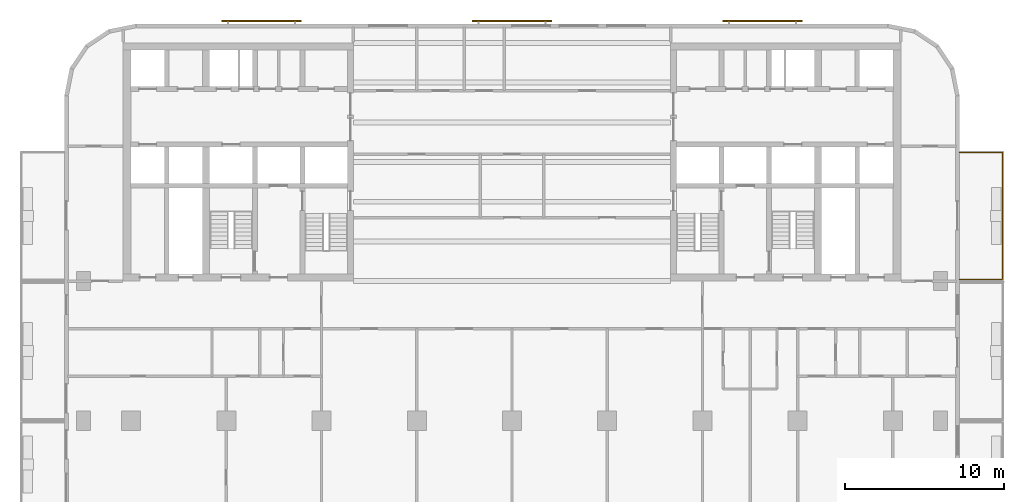
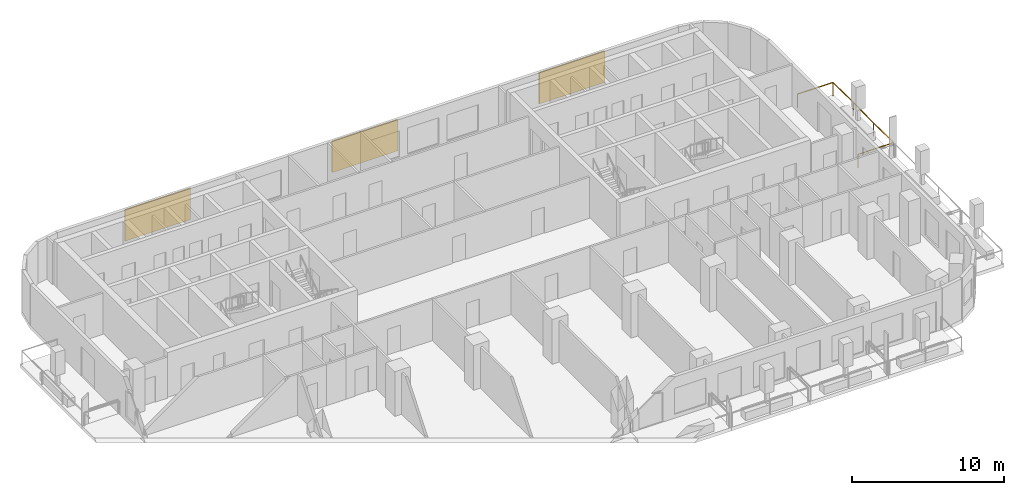
# One storey, part 10 of 11: 3 shading devices, 1 railing.
"""IFC4 building model written with IfcOpenShell, lengths in metres."""

from ifc_helpers import new_model, si_unit, direction, frame, origin, origin_2d, place, context, subcontext, project, spatial, rectangle, circle, extrude, material, layer, layer_set, type_object, element, save


model = new_model("IFC4")

# Units and contexts
model_context = context("Model", 3, precision=1e-05, world=origin(), true_north=direction((0.0, 1.0)))
body_context = subcontext(model_context, "Body", "Model", "MODEL_VIEW")
ifc_project = project(units=[si_unit("LENGTHUNIT", "METRE"), si_unit("AREAUNIT", "SQUARE_METRE"), si_unit("VOLUMEUNIT", "CUBIC_METRE"), si_unit("PLANEANGLEUNIT", "RADIAN"), si_unit("MASSUNIT", "GRAM", prefix="KILO")], contexts=[model_context])

# Site, building, storey
site_placement = place(None, origin())
site = spatial("IfcSite", under=ifc_project, at=site_placement, CompositionType="ELEMENT")
building_placement = place(site_placement, origin())
building = spatial("IfcBuilding", under=site, at=building_placement, Name="Torana Hotel and Residences", CompositionType="ELEMENT")
storey_placement = place(building_placement, frame((0.0, 0.0, 163.199951171875)))
storey = spatial("IfcBuildingStorey", under=building, at=storey_placement, Name="L42", CompositionType="ELEMENT", Elevation=163.199951171875)

# Railing
ifc_material_1 = material(Name="Laminated glass balustrade with black handrail", Category="glass")
railing_type = type_object("IfcRailingType", Name="GR1 BALCONY GUARD 1100 GLASS", PredefinedType="GUARDRAIL", material=ifc_material_1)
railing_placement = place(storey_placement, frame((28.199951171875, -6.89990234375, 0.0)))
element("IfcRailing", 1, at=railing_placement, inside=storey, type_object=railing_type, Name="Balcony guard 14", PredefinedType="GUARDRAIL", context=body_context, shape_type="SweptSolid", body=[
    extrude(circle(Radius=0.02392578125, at=origin_2d()), frame((0.0, 0.0, 1.076171875), z_axis=(1.0, 0.0, 0.0), x_axis=(0.0, 1.0, 0.0)), (0.0, 0.0, 1.0), 2.699951171875),
    extrude(circle(Radius=0.02392578125, at=origin_2d()), frame((2.699951171875, 0.0, 1.076171875), z_axis=(0.0, -1.0, 0.0), x_axis=(1.0, 0.0, 0.0)), (0.0, 0.0, 1.0), 8.0),
    extrude(circle(Radius=0.02392578125, at=origin_2d()), frame((2.699951171875, -8.0, 1.076171875), z_axis=(-1.0, 0.0, 0.0), x_axis=(0.0, -1.0, 0.0)), (0.0, 0.0, 1.0), 2.699951171875),
    extrude(circle(Radius=0.02099609375, at=origin_2d()), origin(), (0.0, 0.0, 1.0), 1.052001953125),
    extrude(circle(Radius=0.02099609375, at=origin_2d()), frame((2.699951171875, 0.0, 0.0)), (0.0, 0.0, 1.0), 1.052001953125),
    extrude(circle(Radius=0.02099609375, at=origin_2d()), frame((2.699951171875, -2.666748046875, 0.0)), (0.0, 0.0, 1.0), 1.052001953125),
    extrude(circle(Radius=0.02099609375, at=origin_2d()), frame((2.699951171875, -5.333251953125, 0.0)), (0.0, 0.0, 1.0), 1.052001953125),
    extrude(circle(Radius=0.02099609375, at=origin_2d()), frame((2.699951171875, -8.0, 0.0)), (0.0, 0.0, 1.0), 1.052001953125),
    extrude(circle(Radius=0.02099609375, at=origin_2d()), frame((0.0, -8.0, 0.0)), (0.0, 0.0, 1.0), 1.052001953125),
])

# Shading devices
ifc_material_2 = material(Name="Concrete C40/50 precast", Category="concrete")
ifc_layer = layer(ifc_material_2, 0.10009765625)
ifc_layer_set = layer_set([ifc_layer], Name="SC1 PERFORATED BLOCK SCREEN PANEL 100")
shading_device_type = type_object("IfcShadingDeviceType", Name="SC1 PERFORATED BLOCK SCREEN PANEL 100", PredefinedType="USERDEFINED", material=ifc_layer_set)
for number, where, z_axis, x_axis, name in (
    (2, (15.78369140625, 1.39990234375, 0.5), (0.0, 0.0, 1.0), (-1.0, 0.0, 0.0), "Perforated block screen L42"),
    (3, (0.0, 1.39990234375, 0.5), (0.0, 0.0, 1.0), (-1.0, 0.0, 0.0), "Perforated block screen L42"),
    (4, (-15.78369140625, 1.39990234375, 0.5), (0.0, 0.0, 1.0), (-1.0, 0.0, 0.0), "Perforated block screen L42"),
):
    element("IfcShadingDevice", number, at=place(storey_placement, frame(where, z_axis=z_axis, x_axis=x_axis)), inside=storey, type_object=shading_device_type, Name=name, ObjectType="SCREEN", PredefinedType="USERDEFINED", context=body_context, shape_type="SweptSolid", body=[
        extrude(rectangle(XDim=5.0, YDim=0.10009765625, at=origin_2d()), origin(), (0.0, 0.0, 1.0), 2.52001953125),
    ])

save(model, "model.ifc")
